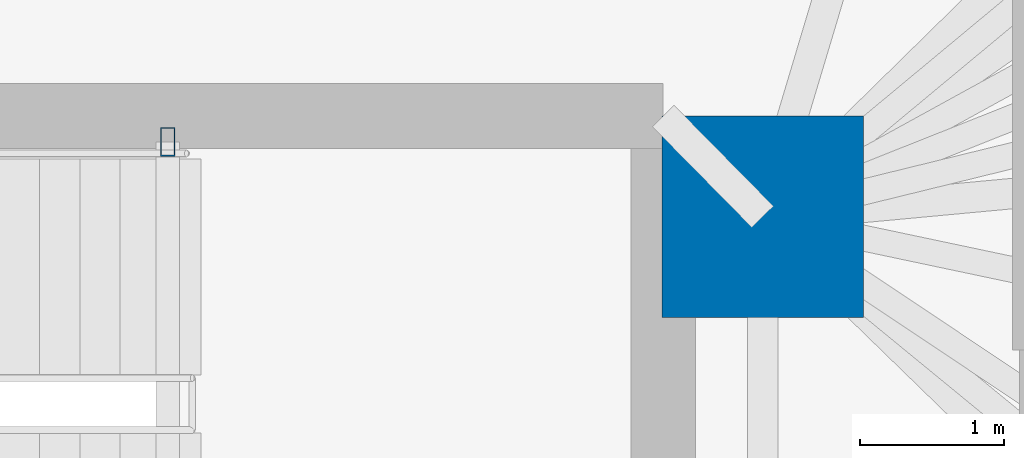
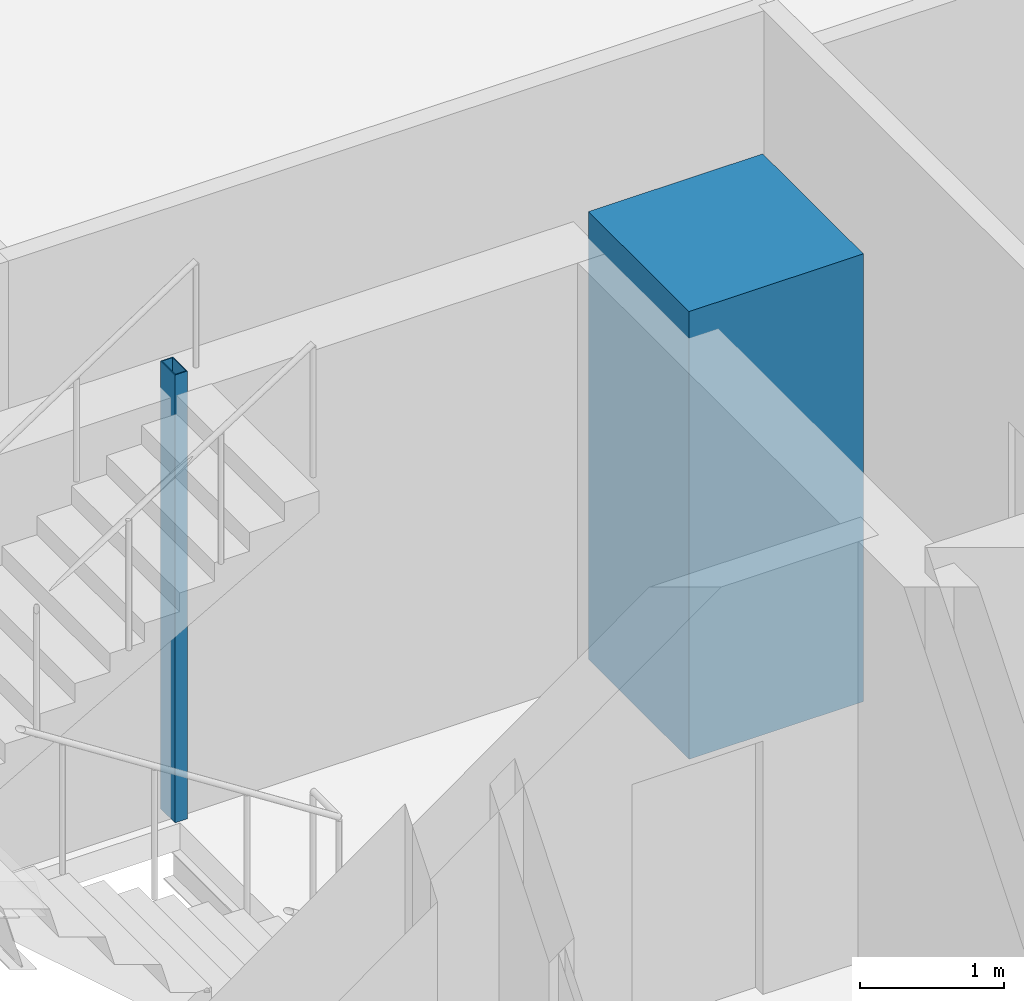
# One storey, part 4 of 17: 2 columns.
"""IFC4 building model written with IfcOpenShell, lengths in metres."""

from ifc_helpers import new_model, si_unit, direction, frame, origin, origin_2d, place, context, subcontext, project, spatial, rectangle, hollow_rectangle, extrude, material, material_profile, profile_set, type_object, element, save


model = new_model("IFC4")

# Units and contexts
model_context = context("Model", 3, precision=1e-05, world=origin(), true_north=direction((0.0, 1.0)))
body_context = subcontext(model_context, "Body", "Model", "MODEL_VIEW")
ifc_project = project(units=[si_unit("LENGTHUNIT", "METRE"), si_unit("AREAUNIT", "SQUARE_METRE"), si_unit("VOLUMEUNIT", "CUBIC_METRE"), si_unit("PLANEANGLEUNIT", "RADIAN"), si_unit("MASSUNIT", "GRAM", prefix="KILO")], contexts=[model_context])

# Site, building, storey
site_placement = place(None, origin())
site = spatial("IfcSite", under=ifc_project, at=site_placement, CompositionType="ELEMENT")
building_placement = place(site_placement, origin())
building = spatial("IfcBuilding", under=site, at=building_placement, Name="Menara Jurai Vektor", CompositionType="ELEMENT")
storey_placement = place(building_placement, frame((0.0, 0.0, 21.800048828125)))
storey = spatial("IfcBuildingStorey", under=building, at=storey_placement, Name="L04", CompositionType="ELEMENT", Elevation=21.800048828125)

# Columns
ifc_material_1 = material(Name="Concrete C60/75", Category="concrete")
ifc_material_profile_1 = material_profile(ifc_material_1, rectangle(XDim=1.39990234375, YDim=1.39990234375, at=origin_2d()), Name="RC 1400x1400")
ifc_profile_set_1 = profile_set([ifc_material_profile_1], Name="Concrete C60/75")
column_type_1 = type_object("IfcColumnType", Name="STR-COL-RC1400", PredefinedType="COLUMN", material=ifc_profile_set_1)
column_1_placement = place(storey_placement, frame((15.25, 4.89990234375, 0.0), z_axis=(0.0, 0.0, 1.0), x_axis=(1.0, 0.0, 0.0)))
element("IfcColumn", 1, at=column_1_placement, inside=storey, type_object=column_type_1, Name="Core Spine Column CE-NE L04", PredefinedType="COLUMN", context=body_context, shape_type="SweptSolid", body=[
    extrude(rectangle(XDim=1.39990234375, YDim=1.39990234375, at=origin_2d()), origin(), (0.0, 0.0, 1.0), 3.800048828125),
])
ifc_material_2 = material(Name="Steel S355", Category="steel")
ifc_material_profile_2 = material_profile(ifc_material_2, hollow_rectangle(XDim=0.10009765625, YDim=0.199951171875, WallThickness=0.008056640625, at=origin_2d()), Name="RHS 200x100x8")
ifc_profile_set_2 = profile_set([ifc_material_profile_2], Name="Steel S355")
column_type_2 = type_object("IfcColumnType", Name="STR-COL-STAIR", PredefinedType="COLUMN", material=ifc_profile_set_2)
column_2_placement = place(storey_placement, frame((11.1201171875, 5.419921875, 0.0), z_axis=(0.0, 0.0, 1.0), x_axis=(1.0, 0.0, 0.0)))
element("IfcColumn", 2, at=column_2_placement, inside=storey, type_object=column_type_2, Name="Stair Well Header Column ST2-P2 L04", PredefinedType="COLUMN", context=body_context, shape_type="SweptSolid", body=[
    extrude(hollow_rectangle(XDim=0.10009765625, YDim=0.199951171875, WallThickness=0.008056640625, at=origin_2d()), origin(), (0.0, 0.0, 1.0), 3.800048828125),
])

save(model, "model.ifc")
